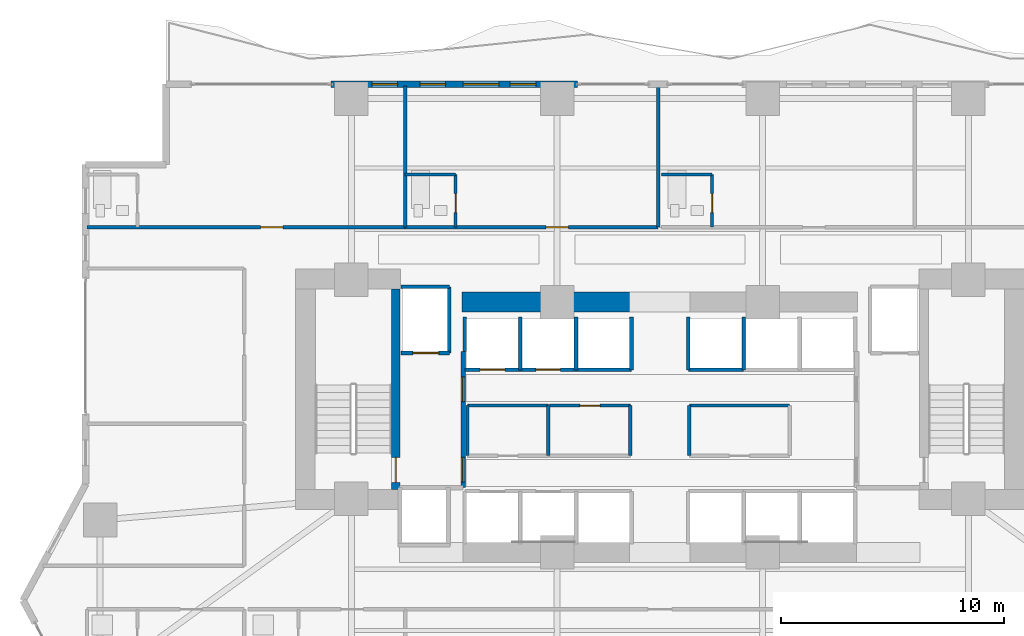
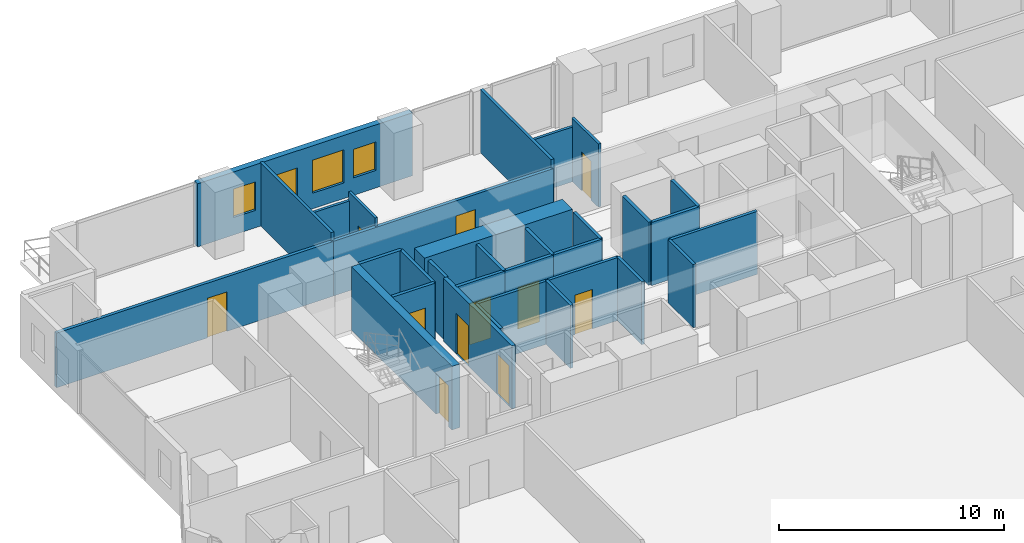
# One storey, part 21 of 28: 32 walls, 11 doors, 4 windows, 15 openings.
"""IFC4 building model written with IfcOpenShell, lengths in metres."""

from ifc_helpers import new_model, si_unit, direction, frame, frame_2d, origin, place, context, subcontext, project, spatial, rectangle, extrude, material, layer, layer_set, type_object, element, fill, save


model = new_model("IFC4")

# Units and contexts
model_context = context("Model", 3, precision=1e-05, world=origin(), true_north=direction((0.0, 1.0)))
body_context = subcontext(model_context, "Body", "Model", "MODEL_VIEW")
ifc_project = project(units=[si_unit("LENGTHUNIT", "METRE"), si_unit("AREAUNIT", "SQUARE_METRE"), si_unit("VOLUMEUNIT", "CUBIC_METRE"), si_unit("PLANEANGLEUNIT", "RADIAN"), si_unit("MASSUNIT", "GRAM", prefix="KILO")], contexts=[model_context])

# Site, building, storey
site_placement = place(None, origin())
site = spatial("IfcSite", under=ifc_project, at=site_placement, CompositionType="ELEMENT")
building_placement = place(site_placement, origin())
building = spatial("IfcBuilding", under=site, at=building_placement, Name="Zuhayl Quay Hotel", CompositionType="ELEMENT")
storey_placement = place(building_placement, frame((0.0, 0.0, 78.699951171875)))
storey = spatial("IfcBuildingStorey", under=building, at=storey_placement, Name="L19", CompositionType="ELEMENT", Elevation=78.699951171875)

# Wall
ifc_material_1 = material(Name="Concrete C70/85", Category="concrete")
ifc_layer_1 = layer(ifc_material_1, 0.89990234375, Name="Concrete C70/85", Category="concrete")
ifc_layer_set_1 = layer_set([ifc_layer_1], Name="Concrete C70/85")
wall_type_1 = type_object("IfcWallType", Name="WL_CORE_900", PredefinedType="SHEAR", material=ifc_layer_set_1)
wall_1_placement = place(storey_placement, frame((-8.85009765625, 13.35009765625, 0.0), z_axis=(0.0, 0.0, 1.0), x_axis=(1.0, 0.0, 0.0)))
element("IfcWall", 1, at=wall_1_placement, inside=storey, type_object=wall_type_1, Name="L19 Core Shear Wall CW_NC_W", PredefinedType="SHEAR", context=body_context, shape_type="SweptSolid", body=[
    extrude(rectangle(XDim=7.60009765625, YDim=0.89990234375, at=frame_2d((3.800048828125, 0.0))), origin(), (0.0, 0.0, 1.0), 3.429931640625),
])

# Wall, openings, windows
ifc_material_2 = material(Name="Precast concrete C45/55", Category="concrete")
ifc_layer_2 = layer(ifc_material_2, 0.300048828125, Name="Precast concrete C45/55", Category="concrete")
ifc_layer_set_2 = layer_set([ifc_layer_2], Name="Precast concrete C45/55")
wall_type_2 = type_object("IfcWallType", Name="WL_EXT_300", PredefinedType="STANDARD", material=ifc_layer_set_2)
wall_2_placement = place(storey_placement, frame((-14.719970703125, 23.10009765625, 0.0), z_axis=(0.0, 0.0, 1.0), x_axis=(1.0, 0.0, 0.0)))
wall_2 = element("IfcWall", 2, at=wall_2_placement, inside=storey, type_object=wall_type_2, Name="L19 Exterior Precast Wall ENV_L19_N_EW2", PredefinedType="STANDARD", context=body_context, shape_type="SweptSolid", body=[
    extrude(rectangle(XDim=11.0400390625, YDim=0.300048828125, at=frame_2d((5.52001953125, 0.0))), origin(), (0.0, 0.0, 1.0), 3.429931640625),
])
opening_1_placement = place(wall_2_placement, frame((5.916015625, 0.0, 0.85009765625)))
opening_1 = element("IfcOpeningElement", 3, at=opening_1_placement, cuts=wall_2, Name="Opening W01", PredefinedType="OPENING", context=body_context, shape_type="SweptSolid", body=[
    extrude(rectangle(XDim=1.60009765625, YDim=1.800048828125, at=frame_2d((0.800048828125, 0.89990234375))), frame((0.0, 0.159912109375, 0.0), z_axis=(0.0, -1.0, 0.0), x_axis=(1.0, 0.0, 0.0)), (0.0, 0.0, 1.0), 0.320068359375),
])
opening_2_placement = place(wall_2_placement, frame((1.8349609375, 0.0, 0.949951171875)))
opening_2 = element("IfcOpeningElement", 4, at=opening_2_placement, cuts=wall_2, Name="Opening W01N", PredefinedType="OPENING", context=body_context, shape_type="SweptSolid", body=[
    extrude(rectangle(XDim=1.14990234375, YDim=1.550048828125, at=frame_2d((0.574951171875, 0.77490234375))), frame((0.0, 0.159912109375, 0.0), z_axis=(0.0, -1.0, 0.0), x_axis=(1.0, 0.0, 0.0)), (0.0, 0.0, 1.0), 0.320068359375),
])
opening_3_placement = place(wall_2_placement, frame((3.97802734375, 0.0, 0.949951171875)))
opening_3 = element("IfcOpeningElement", 5, at=opening_3_placement, cuts=wall_2, Name="Opening W01N", PredefinedType="OPENING", context=body_context, shape_type="SweptSolid", body=[
    extrude(rectangle(XDim=1.14990234375, YDim=1.550048828125, at=frame_2d((0.574951171875, 0.77490234375))), frame((0.0, 0.159912109375, 0.0), z_axis=(0.0, -1.0, 0.0), x_axis=(1.0, 0.0, 0.0)), (0.0, 0.0, 1.0), 0.320068359375),
])
opening_4_placement = place(wall_2_placement, frame((8.01806640625, 0.0, 0.949951171875)))
opening_4 = element("IfcOpeningElement", 6, at=opening_4_placement, cuts=wall_2, Name="Opening W01N", PredefinedType="OPENING", context=body_context, shape_type="SweptSolid", body=[
    extrude(rectangle(XDim=1.14990234375, YDim=1.550048828125, at=frame_2d((0.574951171875, 0.77490234375))), frame((0.0, 0.159912109375, 0.0), z_axis=(0.0, -1.0, 0.0), x_axis=(1.0, 0.0, 0.0)), (0.0, 0.0, 1.0), 0.320068359375),
])
ifc_material_3 = material(Name="Dark Ceramic-Fritted Solar Glass", Category="glass")
window_type_1 = type_object("IfcWindowType", Name="WN_NOTCH_1350", PartitioningType="SINGLE_PANEL", PredefinedType="WINDOW", material=ifc_material_3)
window_1_placement = place(opening_2_placement, origin())
window_1 = element("IfcWindow", 7, at=window_1_placement, inside=storey, type_object=window_type_1, Name="L19 Operable Facade Window 2-1", OverallHeight=1.550048828125, OverallWidth=1.14990234375, PartitioningType="SINGLE_PANEL", PredefinedType="WINDOW", context=body_context, shape_type="SweptSolid", body=[
    extrude(rectangle(XDim=1.14990234375, YDim=1.550048828125, at=frame_2d((0.574951171875, 0.77490234375))), frame((0.0, 0.030029296875, 0.0), z_axis=(0.0, -1.0, 0.0), x_axis=(1.0, 0.0, 0.0)), (0.0, 0.0, 1.0), 0.06005859375),
])
fill(opening_2, window_1)
window_2_placement = place(opening_3_placement, origin())
window_2 = element("IfcWindow", 8, at=window_2_placement, inside=storey, type_object=window_type_1, Name="L19 Operable Facade Window 2-2", OverallHeight=1.550048828125, OverallWidth=1.14990234375, PartitioningType="SINGLE_PANEL", PredefinedType="WINDOW", context=body_context, shape_type="SweptSolid", body=[
    extrude(rectangle(XDim=1.14990234375, YDim=1.550048828125, at=frame_2d((0.574951171875, 0.77490234375))), frame((0.0, 0.030029296875, 0.0), z_axis=(0.0, -1.0, 0.0), x_axis=(1.0, 0.0, 0.0)), (0.0, 0.0, 1.0), 0.06005859375),
])
fill(opening_3, window_2)
window_3_placement = place(opening_4_placement, origin())
window_3 = element("IfcWindow", 9, at=window_3_placement, inside=storey, type_object=window_type_1, Name="L19 Operable Facade Window 2-3", OverallHeight=1.550048828125, OverallWidth=1.14990234375, PartitioningType="SINGLE_PANEL", PredefinedType="WINDOW", context=body_context, shape_type="SweptSolid", body=[
    extrude(rectangle(XDim=1.14990234375, YDim=1.550048828125, at=frame_2d((0.574951171875, 0.77490234375))), frame((0.0, 0.030029296875, 0.0), z_axis=(0.0, -1.0, 0.0), x_axis=(1.0, 0.0, 0.0)), (0.0, 0.0, 1.0), 0.06005859375),
])
fill(opening_4, window_3)
window_type_2 = type_object("IfcWindowType", Name="WN_OPERABLE_1600", PartitioningType="DOUBLE_PANEL_VERTICAL", PredefinedType="WINDOW", material=ifc_material_3)
window_4_placement = place(opening_1_placement, origin())
window_4 = element("IfcWindow", 10, at=window_4_placement, inside=storey, type_object=window_type_2, Name="L19 North Operable Casement Window", OverallHeight=1.800048828125, OverallWidth=1.60009765625, PartitioningType="SINGLE_PANEL", PredefinedType="WINDOW", context=body_context, shape_type="SweptSolid", body=[
    extrude(rectangle(XDim=1.60009765625, YDim=1.800048828125, at=frame_2d((0.800048828125, 0.89990234375))), frame((0.0, 0.030029296875, 0.0), z_axis=(0.0, -1.0, 0.0), x_axis=(1.0, 0.0, 0.0)), (0.0, 0.0, 1.0), 0.06005859375),
])
fill(opening_1, window_4)

# Wall, opening, door
ifc_material_4 = material(Name="Acoustic Gypsum Partition STC-58")
ifc_layer_3 = layer(ifc_material_4, 0.14990234375, Name="Acoustic Gypsum Partition STC-58")
ifc_layer_set_3 = layer_set([ifc_layer_3], Name="Acoustic Gypsum Partition STC-58")
wall_type_3 = type_object("IfcWallType", Name="WL_PART_150", PredefinedType="PARTITIONING", material=ifc_layer_set_3)
wall_3_placement = place(storey_placement, frame((-4.929931640625, 8.719970703125, 0.0), z_axis=(0.0, 0.0, 1.0), x_axis=(1.0, 0.0, 0.0)))
wall_3 = element("IfcWall", 11, at=wall_3_placement, inside=storey, type_object=wall_type_3, Name="L19 Partition IW_L19_CORE_BM_N", PredefinedType="PARTITIONING", context=body_context, shape_type="SweptSolid", body=[
    extrude(rectangle(XDim=3.60986328125, YDim=0.14990234375, at=frame_2d((1.804931640625, 0.0))), origin(), (0.0, 0.0, 1.0), 3.429931640625),
])
opening_5_placement = place(wall_3_placement, frame((1.35498046875, 0.0, 0.0)))
opening_5 = element("IfcOpeningElement", 12, at=opening_5_placement, cuts=wall_3, Name="Opening D06", PredefinedType="OPENING", context=body_context, shape_type="SweptSolid", body=[
    extrude(rectangle(XDim=0.89990234375, YDim=2.14990234375, at=frame_2d((0.449951171875, 1.074951171875))), frame((0.0, 0.0849609375, 0.0), z_axis=(0.0, -1.0, 0.0), x_axis=(1.0, 0.0, 0.0)), (0.0, 0.0, 1.0), 0.169921875),
])
ifc_material_5 = material(Name="Steel ASTM A992 Grade 50", Category="steel")
door_type_1 = type_object("IfcDoorType", Name="DR_INT_900", OperationType="NOTDEFINED", PredefinedType="DOOR", material=ifc_material_5)
door_1_placement = place(opening_5_placement, origin())
door_1 = element("IfcDoor", 13, at=door_1_placement, inside=storey, type_object=door_type_1, Name="L19 Telecom and BMS Closet Door", OperationType="SINGLE_SWING_LEFT", OverallHeight=2.14990234375, OverallWidth=0.89990234375, PredefinedType="DOOR", context=body_context, shape_type="SweptSolid", body=[
    extrude(rectangle(XDim=0.89990234375, YDim=2.14990234375, at=frame_2d((0.449951171875, 1.074951171875))), frame((0.0, 0.02490234375, 0.0), z_axis=(0.0, -1.0, 0.0), x_axis=(1.0, 0.0, 0.0)), (0.0, 0.0, 1.0), 0.050048828125),
])
fill(opening_5, door_1)

# Walls
wall_4_placement = place(storey_placement, frame((-8.610107421875, 8.719970703125, 0.0), z_axis=(0.0, 0.0, 1.0), x_axis=(1.0, 0.0, 0.0)))
element("IfcWall", 14, at=wall_4_placement, inside=storey, type_object=wall_type_3, Name="L19 Partition IW_L19_CORE_SW_N", PredefinedType="PARTITIONING", context=body_context, shape_type="SweptSolid", body=[
    extrude(rectangle(XDim=3.6201171875, YDim=0.14990234375, at=frame_2d((1.81005859375, 0.0))), origin(), (0.0, 0.0, 1.0), 3.429931640625),
])
for number, where, z_axis, x_axis, name in (
    (15, (-8.610107421875, 6.47998046875, 0.0), (0.0, 0.0, 1.0), (0.0, 1.0, 0.0), "L19 Partition IW_L19_CORE_SW_W"),
    (16, (-4.989990234375, 6.47998046875, 0.0), (0.0, 0.0, 1.0), (0.0, 1.0, 0.0), "L19 Partition IW_L19_CORE_SW_E"),
    (17, (-1.320068359375, 6.47998046875, 0.0), (0.0, 0.0, 1.0), (0.0, 1.0, 0.0), "L19 Partition IW_L19_CORE_BM_E"),
):
    element("IfcWall", number, at=place(storey_placement, frame(where, z_axis=z_axis, x_axis=x_axis)), inside=storey, type_object=wall_type_3, Name=name, PredefinedType="PARTITIONING", context=body_context, shape_type="SweptSolid", body=[
        extrude(rectangle(XDim=2.239990234375, YDim=0.14990234375, at=frame_2d((1.1201171875, 0.0))), origin(), (0.0, 0.0, 1.0), 3.429931640625),
    ])
wall_5_placement = place(storey_placement, frame((1.320068359375, 8.719970703125, 0.0), z_axis=(0.0, 0.0, 1.0), x_axis=(1.0, 0.0, 0.0)))
element("IfcWall", 18, at=wall_5_placement, inside=storey, type_object=wall_type_3, Name="L19 Partition IW_L19_CORE_PN_N", PredefinedType="PARTITIONING", context=body_context, shape_type="SweptSolid", body=[
    extrude(rectangle(XDim=4.489990234375, YDim=0.14990234375, at=frame_2d((2.2451171875, 0.0))), origin(), (0.0, 0.0, 1.0), 3.429931640625),
])
wall_6_placement = place(storey_placement, frame((1.320068359375, 6.47998046875, 0.0), z_axis=(0.0, 0.0, 1.0), x_axis=(0.0, 1.0, 0.0)))
element("IfcWall", 19, at=wall_6_placement, inside=storey, type_object=wall_type_3, Name="L19 Partition IW_L19_CORE_PN_W", PredefinedType="PARTITIONING", context=body_context, shape_type="SweptSolid", body=[
    extrude(rectangle(XDim=2.239990234375, YDim=0.14990234375, at=frame_2d((1.1201171875, 0.0))), origin(), (0.0, 0.0, 1.0), 3.429931640625),
])
for number, where, z_axis, x_axis, name in (
    (20, (-11.39990234375, 16.699951171875, 0.0), (0.0, 0.0, 1.0), (0.0, 1.0, 0.0), "L19 Partition IW_L19_NU01_E"),
    (21, (-0.080078125, 16.699951171875, 0.0), (0.0, 0.0, 1.0), (0.0, 1.0, 0.0), "L19 Partition IW_L19_NU02A_E"),
):
    element("IfcWall", number, at=place(storey_placement, frame(where, z_axis=z_axis, x_axis=x_axis)), inside=storey, type_object=wall_type_3, Name=name, PredefinedType="PARTITIONING", context=body_context, shape_type="SweptSolid", body=[
        extrude(rectangle(XDim=6.320068359375, YDim=0.14990234375, at=frame_2d((3.16015625, 0.0))), origin(), (0.0, 0.0, 1.0), 3.429931640625),
    ])

# Wall, opening, door
ifc_layer_4 = layer(ifc_material_4, 0.159912109375, Name="Acoustic Gypsum Partition STC-58")
ifc_layer_set_4 = layer_set([ifc_layer_4], Name="Acoustic Gypsum Partition STC-58")
wall_type_4 = type_object("IfcWallType", Name="WL_PART_CORR_160", PredefinedType="PARTITIONING", material=ifc_layer_set_4)
wall_7_placement = place(storey_placement, frame((-25.639892578125, 16.699951171875, 0.0), z_axis=(0.0, 0.0, 1.0), x_axis=(1.0, 0.0, 0.0)))
wall_7 = element("IfcWall", 22, at=wall_7_placement, inside=storey, type_object=wall_type_4, Name="L19 Partition IW_L19_NU01_COR", PredefinedType="PARTITIONING", context=body_context, shape_type="SweptSolid", body=[
    extrude(rectangle(XDim=14.239990234375, YDim=0.159912109375, at=frame_2d((7.1201171875, 0.0))), origin(), (0.0, 0.0, 1.0), 2.97314453125),
])
opening_6_placement = place(wall_7_placement, frame((7.77001953125, 0.0, 0.0)))
opening_6 = element("IfcOpeningElement", 23, at=opening_6_placement, cuts=wall_7, Name="Opening D03L", PredefinedType="OPENING", context=body_context, shape_type="SweptSolid", body=[
    extrude(rectangle(XDim=1.0, YDim=2.14990234375, at=frame_2d((0.5, 1.074951171875))), frame((0.0, 0.08984375, 0.0), z_axis=(0.0, -1.0, 0.0), x_axis=(1.0, 0.0, 0.0)), (0.0, 0.0, 1.0), 0.179931640625),
])
ifc_material_6 = material(Name="Solid Walnut Acoustic Fire Door")
door_type_2 = type_object("IfcDoorType", Name="DR_SUITE_1000", OperationType="NOTDEFINED", PredefinedType="DOOR", material=ifc_material_6)
door_2_placement = place(opening_6_placement, origin())
door_2 = element("IfcDoor", 24, at=door_2_placement, inside=storey, type_object=door_type_2, Name="L19 Deluxe Gulf Guest Room L19-01 Entrance Door", OperationType="SINGLE_SWING_RIGHT", OverallHeight=2.14990234375, OverallWidth=1.0, PredefinedType="DOOR", context=body_context, shape_type="SweptSolid", body=[
    extrude(rectangle(XDim=1.0, YDim=2.14990234375, at=frame_2d((0.5, 1.074951171875))), frame((0.0, 0.02490234375, 0.0), z_axis=(0.0, -1.0, 0.0), x_axis=(1.0, 0.0, 0.0)), (0.0, 0.0, 1.0), 0.050048828125),
])
fill(opening_6, door_2)

wall_8_placement = place(storey_placement, frame((-11.39990234375, 16.699951171875, 0.0), z_axis=(0.0, 0.0, 1.0), x_axis=(1.0, 0.0, 0.0)))
wall_8 = element("IfcWall", 25, at=wall_8_placement, inside=storey, type_object=wall_type_4, Name="L19 Partition IW_L19_NU02A_COR", PredefinedType="PARTITIONING", context=body_context, shape_type="SweptSolid", body=[
    extrude(rectangle(XDim=11.31982421875, YDim=0.159912109375, at=frame_2d((5.659912109375, 0.0))), origin(), (0.0, 0.0, 1.0), 2.97314453125),
])
opening_7_placement = place(wall_8_placement, frame((6.31005859375, 0.0, 0.0)))
opening_7 = element("IfcOpeningElement", 26, at=opening_7_placement, cuts=wall_8, Name="Opening D03L", PredefinedType="OPENING", context=body_context, shape_type="SweptSolid", body=[
    extrude(rectangle(XDim=1.0, YDim=2.14990234375, at=frame_2d((0.5, 1.074951171875))), frame((0.0, 0.08984375, 0.0), z_axis=(0.0, -1.0, 0.0), x_axis=(1.0, 0.0, 0.0)), (0.0, 0.0, 1.0), 0.179931640625),
])
door_3_placement = place(opening_7_placement, origin())
door_3 = element("IfcDoor", 27, at=door_3_placement, inside=storey, type_object=door_type_2, Name="L19 Deluxe Gulf Guest Room L19-02A Entrance Door", OperationType="SINGLE_SWING_RIGHT", OverallHeight=2.14990234375, OverallWidth=1.0, PredefinedType="DOOR", context=body_context, shape_type="SweptSolid", body=[
    extrude(rectangle(XDim=1.0, YDim=2.14990234375, at=frame_2d((0.5, 1.074951171875))), frame((0.0, 0.02490234375, 0.0), z_axis=(0.0, -1.0, 0.0), x_axis=(1.0, 0.0, 0.0)), (0.0, 0.0, 1.0), 0.050048828125),
])
fill(opening_7, door_3)

ifc_material_7 = material(Name="Moisture-Resistant Sanitarychase Gypsum")
ifc_layer_5 = layer(ifc_material_7, 0.135009765625, Name="Moisture-Resistant Sanitarychase Gypsum")
ifc_layer_set_5 = layer_set([ifc_layer_5], Name="Moisture-Resistant Sanitarychase Gypsum")
wall_type_5 = type_object("IfcWallType", Name="WL_PART_PLUMB_150", PredefinedType="PLUMBINGWALL", material=ifc_layer_set_5)
wall_9_placement = place(storey_placement, frame((-9.139892578125, 16.699951171875, 0.0), z_axis=(0.0, 0.0, 1.0), x_axis=(0.0, 1.0, 0.0)))
wall_9 = element("IfcWall", 28, at=wall_9_placement, inside=storey, type_object=wall_type_5, Name="L19 Partition IW_L19_NU02A_BE", PredefinedType="PLUMBINGWALL", context=body_context, shape_type="SweptSolid", body=[
    extrude(rectangle(XDim=2.360107421875, YDim=0.135009765625, at=frame_2d((1.18017578125, 0.0))), origin(), (0.0, 0.0, 1.0), 3.429931640625),
])
opening_8_placement = place(wall_9_placement, frame((0.64990234375, 0.0, 0.0)))
opening_8 = element("IfcOpeningElement", 29, at=opening_8_placement, cuts=wall_9, Name="Opening D04", PredefinedType="OPENING", context=body_context, shape_type="SweptSolid", body=[
    extrude(rectangle(XDim=0.85009765625, YDim=2.10009765625, at=frame_2d((0.425048828125, 1.050048828125))), frame((0.0, 0.077392578125, 0.0), z_axis=(0.0, -1.0, 0.0), x_axis=(1.0, 0.0, 0.0)), (0.0, 0.0, 1.0), 0.155029296875),
])
ifc_material_8 = material(Name="Moisture-Resistant Walnut Veneer")
door_type_3 = type_object("IfcDoorType", Name="DR_BATH_850", OperationType="NOTDEFINED", PredefinedType="DOOR", material=ifc_material_8)
door_4_placement = place(opening_8_placement, origin())
door_4 = element("IfcDoor", 30, at=door_4_placement, inside=storey, type_object=door_type_3, Name="L19 Deluxe Gulf Guest Room L19-02A En-Suite Door", OperationType="SINGLE_SWING_LEFT", OverallHeight=2.10009765625, OverallWidth=0.85009765625, PredefinedType="DOOR", context=body_context, shape_type="SweptSolid", body=[
    extrude(rectangle(XDim=0.85009765625, YDim=2.10009765625, at=frame_2d((0.425048828125, 1.050048828125))), frame((0.0, 0.02490234375, 0.0), z_axis=(0.0, -1.0, 0.0), x_axis=(1.0, 0.0, 0.0)), (0.0, 0.0, 1.0), 0.050048828125),
])
fill(opening_8, door_4)

wall_10_placement = place(storey_placement, frame((2.340087890625, 16.699951171875, 0.0), z_axis=(0.0, 0.0, 1.0), x_axis=(0.0, 1.0, 0.0)))
wall_10 = element("IfcWall", 31, at=wall_10_placement, inside=storey, type_object=wall_type_5, Name="L19 Partition IW_L19_NU02B_BE", PredefinedType="PLUMBINGWALL", context=body_context, shape_type="SweptSolid", body=[
    extrude(rectangle(XDim=2.360107421875, YDim=0.135009765625, at=frame_2d((1.18017578125, 0.0))), origin(), (0.0, 0.0, 1.0), 3.429931640625),
])
opening_9_placement = place(wall_10_placement, frame((0.64990234375, 0.0, 0.0)))
opening_9 = element("IfcOpeningElement", 32, at=opening_9_placement, cuts=wall_10, Name="Opening D04", PredefinedType="OPENING", context=body_context, shape_type="SweptSolid", body=[
    extrude(rectangle(XDim=0.85009765625, YDim=2.10009765625, at=frame_2d((0.425048828125, 1.050048828125))), frame((0.0, 0.077392578125, 0.0), z_axis=(0.0, -1.0, 0.0), x_axis=(1.0, 0.0, 0.0)), (0.0, 0.0, 1.0), 0.155029296875),
])
door_5_placement = place(opening_9_placement, origin())
door_5 = element("IfcDoor", 33, at=door_5_placement, inside=storey, type_object=door_type_3, Name="L19 Deluxe Gulf Guest Room L19-02B En-Suite Door", OperationType="SINGLE_SWING_LEFT", OverallHeight=2.10009765625, OverallWidth=0.85009765625, PredefinedType="DOOR", context=body_context, shape_type="SweptSolid", body=[
    extrude(rectangle(XDim=0.85009765625, YDim=2.10009765625, at=frame_2d((0.425048828125, 1.050048828125))), frame((0.0, 0.02490234375, 0.0), z_axis=(0.0, -1.0, 0.0), x_axis=(1.0, 0.0, 0.0)), (0.0, 0.0, 1.0), 0.050048828125),
])
fill(opening_9, door_5)

# Walls
for number, where, z_axis, x_axis, name in (
    (34, (-11.39990234375, 19.06005859375, 0.0), (0.0, 0.0, 1.0), (1.0, 0.0, 0.0), "L19 Partition IW_L19_NU02A_BN"),
    (35, (0.080078125, 19.06005859375, 0.0), (0.0, 0.0, 1.0), (1.0, 0.0, 0.0), "L19 Partition IW_L19_NU02B_BN"),
):
    element("IfcWall", number, at=place(storey_placement, frame(where, z_axis=z_axis, x_axis=x_axis)), inside=storey, type_object=wall_type_5, Name=name, PredefinedType="PLUMBINGWALL", context=body_context, shape_type="SweptSolid", body=[
        extrude(rectangle(XDim=2.260009765625, YDim=0.135009765625, at=frame_2d((1.1298828125, 0.0))), origin(), (0.0, 0.0, 1.0), 2.97314453125),
    ])

# Wall, opening, door
ifc_material_9 = material(Name="Gypsum Fireboard Assembly EI-90")
ifc_layer_6 = layer(ifc_material_9, 0.1650390625, Name="Gypsum Fireboard Assembly EI-90")
ifc_layer_set_6 = layer_set([ifc_layer_6], Name="Gypsum Fireboard Assembly EI-90")
wall_type_6 = type_object("IfcWallType", Name="WL_PART_SHAFT_160", PredefinedType="PARTITIONING", material=ifc_layer_set_6)
wall_11_placement = place(storey_placement, frame((-11.580078125, 11.070068359375, 0.0), z_axis=(0.0, 0.0, 1.0), x_axis=(1.0, 0.0, 0.0)))
wall_11 = element("IfcWall", 36, at=wall_11_placement, inside=storey, type_object=wall_type_6, Name="L19 Partition IW_L19_SH_FL1_F", PredefinedType="PARTITIONING", context=body_context, shape_type="SweptSolid", body=[
    extrude(rectangle(XDim=2.16015625, YDim=0.1650390625, at=frame_2d((1.080078125, 0.0))), origin(), (0.0, 0.0, 1.0), 3.429931640625),
])
opening_10_placement = place(wall_11_placement, frame((0.530029296875, 0.0, 0.0)))
opening_10 = element("IfcOpeningElement", 37, at=opening_10_placement, cuts=wall_11, Name="Opening LD2", PredefinedType="OPENING", context=body_context, shape_type="SweptSolid", body=[
    extrude(rectangle(XDim=1.14990234375, YDim=2.25, at=frame_2d((0.574951171875, 1.125))), frame((0.0, 0.092529296875, 0.0), z_axis=(0.0, -1.0, 0.0), x_axis=(1.0, 0.0, 0.0)), (0.0, 0.0, 1.0), 0.18505859375),
])
ifc_material_10 = material(Name="Brushed Stainless Steel", Category="steel")
door_type_4 = type_object("IfcDoorType", Name="DR_LIFT_FF_1100", OperationType="SLIDING_TO_LEFT", PredefinedType="DOOR", material=ifc_material_10)
door_6_placement = place(opening_10_placement, origin())
door_6 = element("IfcDoor", 38, at=door_6_placement, inside=storey, type_object=door_type_4, Name="L19 Lift FL1 Sliding Landing Door", OperationType="SLIDING_TO_LEFT", OverallHeight=2.25, OverallWidth=1.14990234375, PredefinedType="DOOR", context=body_context, shape_type="SweptSolid", body=[
    extrude(rectangle(XDim=1.14990234375, YDim=2.25, at=frame_2d((0.574951171875, 1.125))), frame((0.0, 0.02490234375, 0.0), z_axis=(0.0, -1.0, 0.0), x_axis=(1.0, 0.0, 0.0)), (0.0, 0.0, 1.0), 0.050048828125),
])
fill(opening_10, door_6)

wall_12_placement = place(storey_placement, frame((-8.72998046875, 10.320068359375, 0.0), z_axis=(0.0, 0.0, 1.0), x_axis=(1.0, 0.0, 0.0)))
wall_12 = element("IfcWall", 39, at=wall_12_placement, inside=storey, type_object=wall_type_6, Name="L19 Partition IW_L19_SH_LP3_F", PredefinedType="PARTITIONING", context=body_context, shape_type="SweptSolid", body=[
    extrude(rectangle(XDim=2.47998046875, YDim=0.1650390625, at=frame_2d((1.239990234375, 0.0))), origin(), (0.0, 0.0, 1.0), 3.429931640625),
])
opening_11_placement = place(wall_12_placement, frame((0.68994140625, 0.0, 0.0)))
opening_11 = element("IfcOpeningElement", 40, at=opening_11_placement, cuts=wall_12, Name="Opening LD1", PredefinedType="OPENING", context=body_context, shape_type="SweptSolid", body=[
    extrude(rectangle(XDim=1.10009765625, YDim=2.25, at=frame_2d((0.550048828125, 1.125))), frame((0.0, 0.092529296875, 0.0), z_axis=(0.0, -1.0, 0.0), x_axis=(1.0, 0.0, 0.0)), (0.0, 0.0, 1.0), 0.18505859375),
])
door_type_5 = type_object("IfcDoorType", Name="DR_LIFT_PASS_1100", OperationType="SLIDING_TO_LEFT", PredefinedType="DOOR", material=ifc_material_10)
door_7_placement = place(opening_11_placement, origin())
door_7 = element("IfcDoor", 41, at=door_7_placement, inside=storey, type_object=door_type_5, Name="L19 Lift LP3 Sliding Landing Door", OperationType="SLIDING_TO_LEFT", OverallHeight=2.25, OverallWidth=1.10009765625, PredefinedType="DOOR", context=body_context, shape_type="SweptSolid", body=[
    extrude(rectangle(XDim=1.10009765625, YDim=2.25, at=frame_2d((0.550048828125, 1.125))), frame((0.0, 0.02490234375, 0.0), z_axis=(0.0, -1.0, 0.0), x_axis=(1.0, 0.0, 0.0)), (0.0, 0.0, 1.0), 0.050048828125),
])
fill(opening_11, door_7)

wall_13_placement = place(storey_placement, frame((-6.25, 10.320068359375, 0.0), z_axis=(0.0, 0.0, 1.0), x_axis=(1.0, 0.0, 0.0)))
wall_13 = element("IfcWall", 42, at=wall_13_placement, inside=storey, type_object=wall_type_6, Name="L19 Partition IW_L19_SH_LP4_F", PredefinedType="PARTITIONING", context=body_context, shape_type="SweptSolid", body=[
    extrude(rectangle(XDim=2.5, YDim=0.1650390625, at=frame_2d((1.25, 0.0))), origin(), (0.0, 0.0, 1.0), 3.429931640625),
])
opening_12_placement = place(wall_13_placement, frame((0.699951171875, 0.0, 0.0)))
opening_12 = element("IfcOpeningElement", 43, at=opening_12_placement, cuts=wall_13, Name="Opening LD1", PredefinedType="OPENING", context=body_context, shape_type="SweptSolid", body=[
    extrude(rectangle(XDim=1.10009765625, YDim=2.25, at=frame_2d((0.550048828125, 1.125))), frame((0.0, 0.092529296875, 0.0), z_axis=(0.0, -1.0, 0.0), x_axis=(1.0, 0.0, 0.0)), (0.0, 0.0, 1.0), 0.18505859375),
])
door_8_placement = place(opening_12_placement, origin())
door_8 = element("IfcDoor", 44, at=door_8_placement, inside=storey, type_object=door_type_5, Name="L19 Lift LP4 Sliding Landing Door", OperationType="SLIDING_TO_LEFT", OverallHeight=2.25, OverallWidth=1.10009765625, PredefinedType="DOOR", context=body_context, shape_type="SweptSolid", body=[
    extrude(rectangle(XDim=1.10009765625, YDim=2.25, at=frame_2d((0.550048828125, 1.125))), frame((0.0, 0.02490234375, 0.0), z_axis=(0.0, -1.0, 0.0), x_axis=(1.0, 0.0, 0.0)), (0.0, 0.0, 1.0), 0.050048828125),
])
fill(opening_12, door_8)

# Walls
wall_14_placement = place(storey_placement, frame((-9.419921875, 11.070068359375, 0.0), z_axis=(0.0, 0.0, 1.0), x_axis=(0.0, 1.0, 0.0)))
element("IfcWall", 45, at=wall_14_placement, inside=storey, type_object=wall_type_6, Name="L19 Partition IW_L19_SH_FL1_E", PredefinedType="PARTITIONING", context=body_context, shape_type="SweptSolid", body=[
    extrude(rectangle(XDim=2.9599609375, YDim=0.1650390625, at=frame_2d((1.47998046875, 0.0))), origin(), (0.0, 0.0, 1.0), 3.429931640625),
])
wall_15_placement = place(storey_placement, frame((-11.580078125, 14.030029296875, 0.0), z_axis=(0.0, 0.0, 1.0), x_axis=(1.0, 0.0, 0.0)))
element("IfcWall", 46, at=wall_15_placement, inside=storey, type_object=wall_type_6, Name="L19 Partition IW_L19_SH_FL1_B", PredefinedType="PARTITIONING", context=body_context, shape_type="SweptSolid", body=[
    extrude(rectangle(XDim=2.16015625, YDim=0.1650390625, at=frame_2d((1.080078125, 0.0))), origin(), (0.0, 0.0, 1.0), 3.429931640625),
])
wall_16_placement = place(storey_placement, frame((-8.72998046875, 11.14990234375, 0.0), z_axis=(0.0, 0.0, 1.0), x_axis=(0.0, 1.0, 0.0)))
element("IfcWall", 47, at=wall_16_placement, inside=storey, type_object=wall_type_6, Name="L19 Partition IW_L19_SH_LP3_W", PredefinedType="PARTITIONING", context=body_context, shape_type="SweptSolid", body=[
    extrude(rectangle(XDim=1.530029296875, YDim=0.1650390625, at=frame_2d((0.76513671875, 0.0))), origin(), (0.0, 0.0, 1.0), 3.429931640625),
])
for number, where, z_axis, x_axis, name in (
    (48, (-6.25, 10.320068359375, 0.0), (0.0, 0.0, 1.0), (0.0, 1.0, 0.0), "L19 Partition IW_L19_SH_LP3_E"),
    (49, (-3.75, 10.320068359375, 0.0), (0.0, 0.0, 1.0), (0.0, 1.0, 0.0), "L19 Partition IW_L19_SH_LP4_E"),
):
    element("IfcWall", number, at=place(storey_placement, frame(where, z_axis=z_axis, x_axis=x_axis)), inside=storey, type_object=wall_type_6, Name=name, PredefinedType="PARTITIONING", context=body_context, shape_type="SweptSolid", body=[
        extrude(rectangle(XDim=2.35986328125, YDim=0.1650390625, at=frame_2d((1.179931640625, 0.0))), origin(), (0.0, 0.0, 1.0), 3.429931640625),
    ])
wall_17_placement = place(storey_placement, frame((-3.75, 10.320068359375, 0.0), z_axis=(0.0, 0.0, 1.0), x_axis=(1.0, 0.0, 0.0)))
element("IfcWall", 50, at=wall_17_placement, inside=storey, type_object=wall_type_6, Name="L19 Partition IW_L19_SH_MP3_F", PredefinedType="PARTITIONING", context=body_context, shape_type="SweptSolid", body=[
    extrude(rectangle(XDim=2.47998046875, YDim=0.1650390625, at=frame_2d((1.239990234375, 0.0))), origin(), (0.0, 0.0, 1.0), 3.429931640625),
])
wall_18_placement = place(storey_placement, frame((-1.27001953125, 10.320068359375, 0.0), z_axis=(0.0, 0.0, 1.0), x_axis=(0.0, 1.0, 0.0)))
element("IfcWall", 51, at=wall_18_placement, inside=storey, type_object=wall_type_6, Name="L19 Partition IW_L19_SH_MP3_E", PredefinedType="PARTITIONING", context=body_context, shape_type="SweptSolid", body=[
    extrude(rectangle(XDim=2.35986328125, YDim=0.1650390625, at=frame_2d((1.179931640625, 0.0))), origin(), (0.0, 0.0, 1.0), 3.429931640625),
])
wall_19_placement = place(storey_placement, frame((1.27001953125, 10.320068359375, 0.0), z_axis=(0.0, 0.0, 1.0), x_axis=(1.0, 0.0, 0.0)))
element("IfcWall", 52, at=wall_19_placement, inside=storey, type_object=wall_type_6, Name="L19 Partition IW_L19_SH_MP4_F", PredefinedType="PARTITIONING", context=body_context, shape_type="SweptSolid", body=[
    extrude(rectangle(XDim=2.47998046875, YDim=0.1650390625, at=frame_2d((1.239990234375, 0.0))), origin(), (0.0, 0.0, 1.0), 3.429931640625),
])
for number, where, z_axis, x_axis, name in (
    (53, (1.27001953125, 10.320068359375, 0.0), (0.0, 0.0, 1.0), (0.0, 1.0, 0.0), "L19 Partition IW_L19_SH_MP4_W"),
    (54, (3.75, 10.320068359375, 0.0), (0.0, 0.0, 1.0), (0.0, 1.0, 0.0), "L19 Partition IW_L19_SH_MP4_E"),
):
    element("IfcWall", number, at=place(storey_placement, frame(where, z_axis=z_axis, x_axis=x_axis)), inside=storey, type_object=wall_type_6, Name=name, PredefinedType="PARTITIONING", context=body_context, shape_type="SweptSolid", body=[
        extrude(rectangle(XDim=2.35986328125, YDim=0.1650390625, at=frame_2d((1.179931640625, 0.0))), origin(), (0.0, 0.0, 1.0), 3.429931640625),
    ])

# Wall, openings, doors
ifc_material_11 = material(Name="Gypsum Fireboard Assembly EI-120")
ifc_layer_7 = layer(ifc_material_11, 0.199951171875, Name="Gypsum Fireboard Assembly EI-120")
ifc_layer_set_7 = layer_set([ifc_layer_7], Name="Gypsum Fireboard Assembly EI-120")
wall_type_7 = type_object("IfcWallType", Name="WL_PART_SHAFT_200", PredefinedType="PARTITIONING", material=ifc_layer_set_7)
wall_20_placement = place(storey_placement, frame((-8.800048828125, 5.050048828125, 0.0), z_axis=(0.0, 0.0, 1.0), x_axis=(0.0, 1.0, 0.0)))
wall_20 = element("IfcWall", 55, at=wall_20_placement, inside=storey, type_object=wall_type_7, Name="L19 Partition IW_L19_FSAE_W_E", PredefinedType="PARTITIONING", context=body_context, shape_type="SweptSolid", body=[
    extrude(rectangle(XDim=6.099853515625, YDim=0.199951171875, at=frame_2d((3.0498046875, 0.0))), origin(), (0.0, 0.0, 1.0), 3.429931640625),
])
opening_13_placement = place(wall_20_placement, frame((0.25, 0.0, 0.0)))
opening_13 = element("IfcOpeningElement", 56, at=opening_13_placement, cuts=wall_20, Name="Opening D02", PredefinedType="OPENING", context=body_context, shape_type="SweptSolid", body=[
    extrude(rectangle(XDim=1.10009765625, YDim=2.199951171875, at=frame_2d((0.550048828125, 1.10009765625))), frame((0.0, 0.10986328125, 0.0), z_axis=(0.0, -1.0, 0.0), x_axis=(1.0, 0.0, 0.0)), (0.0, 0.0, 1.0), 0.219970703125),
])
opening_14_placement = place(wall_20_placement, frame((3.85009765625, 0.0, 0.0)))
opening_14 = element("IfcOpeningElement", 57, at=opening_14_placement, cuts=wall_20, Name="Opening D02", PredefinedType="OPENING", context=body_context, shape_type="SweptSolid", body=[
    extrude(rectangle(XDim=1.10009765625, YDim=2.199951171875, at=frame_2d((0.550048828125, 1.10009765625))), frame((0.0, 0.10986328125, 0.0), z_axis=(0.0, -1.0, 0.0), x_axis=(1.0, 0.0, 0.0)), (0.0, 0.0, 1.0), 0.219970703125),
])
door_type_6 = type_object("IfcDoorType", Name="DR_FIRE_90_1100", OperationType="NOTDEFINED", PredefinedType="DOOR", material=ifc_material_5)
door_9_placement = place(opening_13_placement, origin())
door_9 = element("IfcDoor", 58, at=door_9_placement, inside=storey, type_object=door_type_6, Name="L19 FSAE Lobby West South Entry Door", OperationType="SINGLE_SWING_RIGHT", OverallHeight=2.199951171875, OverallWidth=1.10009765625, PredefinedType="DOOR", context=body_context, shape_type="SweptSolid", body=[
    extrude(rectangle(XDim=1.10009765625, YDim=2.199951171875, at=frame_2d((0.550048828125, 1.10009765625))), frame((0.0, 0.02490234375, 0.0), z_axis=(0.0, -1.0, 0.0), x_axis=(1.0, 0.0, 0.0)), (0.0, 0.0, 1.0), 0.050048828125),
])
fill(opening_13, door_9)
door_10_placement = place(opening_14_placement, origin())
door_10 = element("IfcDoor", 59, at=door_10_placement, inside=storey, type_object=door_type_6, Name="L19 FSAE Lobby West North Entry Door", OperationType="SINGLE_SWING_LEFT", OverallHeight=2.199951171875, OverallWidth=1.10009765625, PredefinedType="DOOR", context=body_context, shape_type="SweptSolid", body=[
    extrude(rectangle(XDim=1.10009765625, YDim=2.199951171875, at=frame_2d((0.550048828125, 1.10009765625))), frame((0.0, 0.02490234375, 0.0), z_axis=(0.0, -1.0, 0.0), x_axis=(1.0, 0.0, 0.0)), (0.0, 0.0, 1.0), 0.050048828125),
])
fill(opening_14, door_10)

# Wall, opening, door
ifc_material_12 = material(Name="Concrete C60/75", Category="concrete")
ifc_layer_8 = layer(ifc_material_12, 0.39990234375, Name="Concrete C60/75", Category="concrete")
ifc_layer_set_8 = layer_set([ifc_layer_8], Name="Concrete C60/75")
wall_type_8 = type_object("IfcWallType", Name="WL_STAIR_400", PredefinedType="SHEAR", material=ifc_layer_set_8)
wall_21_placement = place(storey_placement, frame((-11.820068359375, 4.969970703125, 0.0), z_axis=(0.0, 0.0, 1.0), x_axis=(0.0, 1.0, 0.0)))
wall_21 = element("IfcWall", 60, at=wall_21_placement, inside=storey, type_object=wall_type_8, Name="L19 Core Shear Wall SW_ST1", PredefinedType="SHEAR", context=body_context, shape_type="SweptSolid", body=[
    extrude(rectangle(XDim=8.9599609375, YDim=0.39990234375, at=frame_2d((4.47998046875, 0.0))), origin(), (0.0, 0.0, 1.0), 3.4599609375),
])
opening_15_placement = place(wall_21_placement, frame((0.31005859375, 0.0, 0.0)))
opening_15 = element("IfcOpeningElement", 61, at=opening_15_placement, cuts=wall_21, Name="Opening D01", PredefinedType="OPENING", context=body_context, shape_type="SweptSolid", body=[
    extrude(rectangle(XDim=1.1201171875, YDim=2.219970703125, at=frame_2d((0.56005859375, 1.10986328125))), frame((0.0, 0.2099609375, 0.0), z_axis=(0.0, -1.0, 0.0), x_axis=(1.0, 0.0, 0.0)), (0.0, 0.0, 1.0), 0.419921875),
])
door_type_7 = type_object("IfcDoorType", Name="DR_STAIR_90_1100", OperationType="NOTDEFINED", PredefinedType="DOOR", material=ifc_material_5)
door_11_placement = place(opening_15_placement, origin())
door_11 = element("IfcDoor", 62, at=door_11_placement, inside=storey, type_object=door_type_7, Name="L19 Smokeproof Exit Stair ST1 Door", OperationType="SINGLE_SWING_LEFT", OverallHeight=2.219970703125, OverallWidth=1.1201171875, PredefinedType="DOOR", context=body_context, shape_type="SweptSolid", body=[
    extrude(rectangle(XDim=1.1201171875, YDim=2.219970703125, at=frame_2d((0.56005859375, 1.10986328125))), frame((0.0, 0.02490234375, 0.0), z_axis=(0.0, -1.0, 0.0), x_axis=(1.0, 0.0, 0.0)), (0.0, 0.0, 1.0), 0.050048828125),
])
fill(opening_15, door_11)

save(model, "model.ifc")
